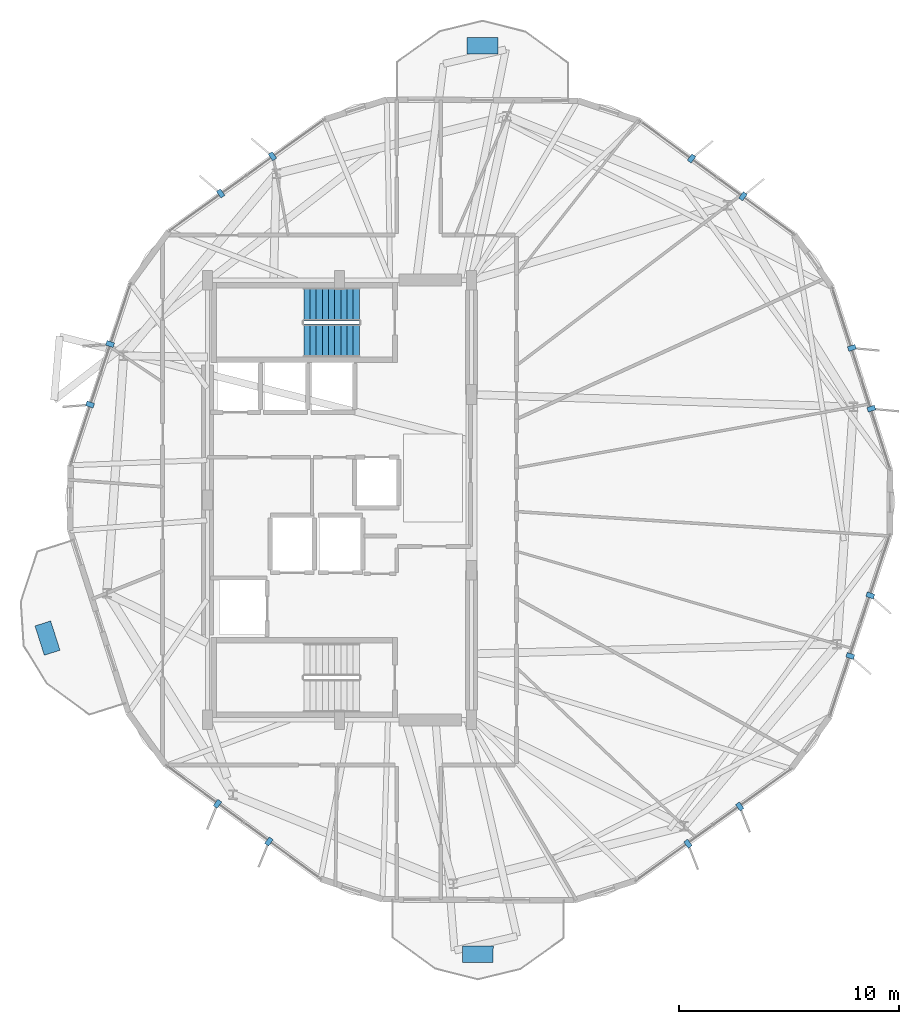
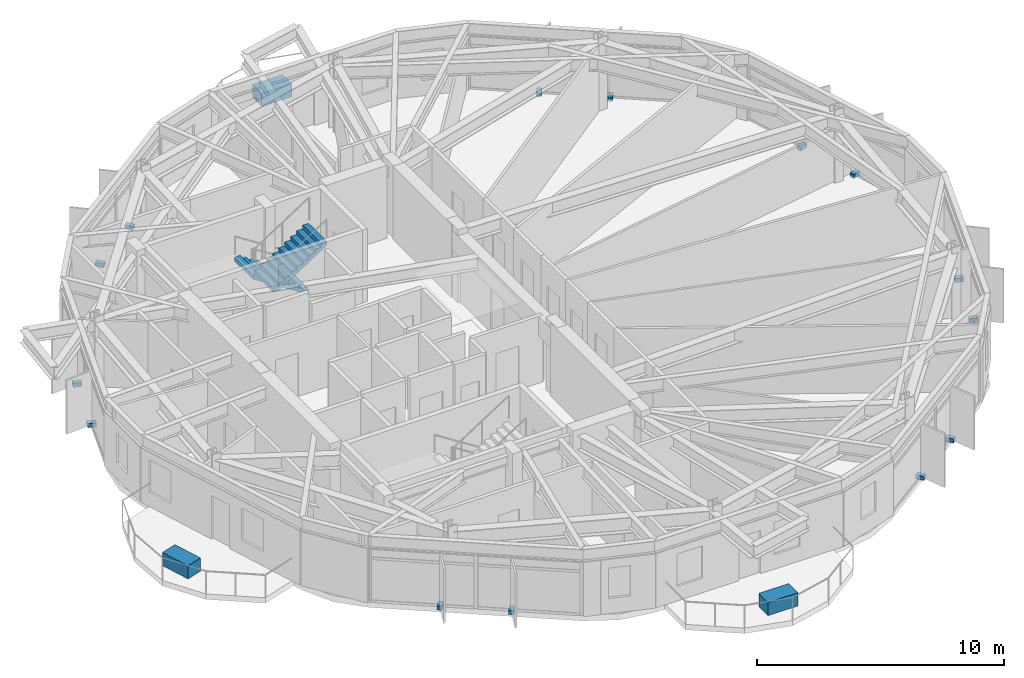
# One storey, part 20 of 24: 17 discrete accessories, 2 stair flights, 1 element without a shape of its own.
"""IFC4 building model written with IfcOpenShell, lengths in metres."""

from ifc_helpers import new_model, si_unit, direction, frame, origin, origin_2d, place, context, subcontext, project, spatial, polyline, rectangle, outline, extrude, material, layer, layer_set, type_object, element, aggregate, save


model = new_model("IFC4")

# Units and contexts
model_context = context("Model", 3, precision=1e-05, world=origin(), true_north=direction((0.0, 1.0)))
body_context = subcontext(model_context, "Body", "Model", "MODEL_VIEW")
ifc_project = project(units=[si_unit("LENGTHUNIT", "METRE"), si_unit("AREAUNIT", "SQUARE_METRE"), si_unit("VOLUMEUNIT", "CUBIC_METRE"), si_unit("PLANEANGLEUNIT", "RADIAN"), si_unit("MASSUNIT", "GRAM", prefix="KILO")], contexts=[model_context])

# Site, building, storey
site_placement = place(None, origin())
site = spatial("IfcSite", under=ifc_project, at=site_placement, CompositionType="ELEMENT")
building_placement = place(site_placement, origin())
building = spatial("IfcBuilding", under=site, at=building_placement, Name="Soratama Intermodal Tower", CompositionType="ELEMENT")
storey_placement = place(building_placement, frame((0.0, 0.0, 164.199951171875)))
storey = spatial("IfcBuildingStorey", under=building, at=storey_placement, Name="L40", CompositionType="ELEMENT", Elevation=164.199951171875)

# Stair, stair flights
ifc_material_1 = material(Name="Concrete f'c 42 MPa", Category="concrete")
stair_type = type_object("IfcStairType", Name="ST-CORE-DOGLEG", PredefinedType="HALF_TURN_STAIR", material=ifc_material_1)
stair_placement = place(storey_placement, origin())
stair = element("IfcStair", 1, at=stair_placement, inside=storey, type_object=stair_type, Name="L40 ST-2", PredefinedType="HALF_TURN_STAIR")
ifc_material_2 = material(Name="Precast concrete f'c 40 MPa", Category="concrete")
ifc_layer = layer(ifc_material_2, 0.199951171875)
ifc_layer_set = layer_set([ifc_layer], Name="Precast concrete f'c 40 MPa")
stair_flight_type = type_object("IfcStairFlightType", Name="SF-FLIGHT-RC", PredefinedType="STRAIGHT", material=ifc_layer_set)
stair_flight_1_placement = place(storey_placement, frame((39.5, 33.89990234375, 0.0), z_axis=(0.0, 0.0, 1.0), x_axis=(-1.0, 0.0, 0.0)))
stair_flight_1 = element("IfcStairFlight", 2, at=stair_flight_1_placement, type_object=stair_flight_type, Name="ST-2 flight 1", NumberOfRisers=10, NumberOfTreads=9, PredefinedType="STRAIGHT", RiserHeight=0.18, TreadLength=0.28, context=body_context, shape_type="SweptSolid", body=[
    extrude(outline(polyline([(0.0, 0.0), (0.0, 0.179931640625), (0.280029296875, 0.179931640625), (0.280029296875, 0.360107421875), (0.56005859375, 0.360107421875), (0.56005859375, 0.5400390625), (0.840087890625, 0.5400390625), (0.840087890625, 0.719970703125), (1.1201171875, 0.719970703125), (1.1201171875, 0.89990234375), (1.39990234375, 0.89990234375), (1.39990234375, 1.080078125), (1.679931640625, 1.080078125), (1.679931640625, 1.260009765625), (1.9599609375, 1.260009765625), (1.9599609375, 1.43994140625), (2.239990234375, 1.43994140625), (2.239990234375, 1.6201171875), (2.52001953125, 1.6201171875), (2.52001953125, 1.800048828125), (2.52001953125, 1.44189453125), (0.277099609375, 0.0), (0.0, 0.0)])), frame((0.0, 0.75, 0.0), z_axis=(0.0, -1.0, 0.0), x_axis=(1.0, 0.0, 0.0)), (0.0, 0.0, 1.0), 1.5),
])
stair_flight_2_placement = place(storey_placement, frame((36.97998046875, 32.25, 1.800048828125), z_axis=(0.0, 0.0, 1.0), x_axis=(1.0, 0.0, 0.0)))
stair_flight_2 = element("IfcStairFlight", 3, at=stair_flight_2_placement, type_object=stair_flight_type, Name="ST-2 flight 2", NumberOfRisers=10, NumberOfTreads=9, PredefinedType="STRAIGHT", RiserHeight=0.18, TreadLength=0.28, context=body_context, shape_type="SweptSolid", body=[
    extrude(outline(polyline([(0.0, 0.0), (0.0, 0.179931640625), (0.280029296875, 0.179931640625), (0.280029296875, 0.360107421875), (0.56005859375, 0.360107421875), (0.56005859375, 0.5400390625), (0.840087890625, 0.5400390625), (0.840087890625, 0.719970703125), (1.1201171875, 0.719970703125), (1.1201171875, 0.89990234375), (1.39990234375, 0.89990234375), (1.39990234375, 1.080078125), (1.679931640625, 1.080078125), (1.679931640625, 1.260009765625), (1.9599609375, 1.260009765625), (1.9599609375, 1.43994140625), (2.239990234375, 1.43994140625), (2.239990234375, 1.6201171875), (2.52001953125, 1.6201171875), (2.52001953125, 1.800048828125), (2.52001953125, 1.44189453125), (0.277099609375, 0.0), (0.0, 0.0)])), frame((0.0, 0.75, 0.0), z_axis=(0.0, -1.0, 0.0), x_axis=(1.0, 0.0, 0.0)), (0.0, 0.0, 1.0), 1.5),
])
aggregate(stair, [stair_flight_1, stair_flight_2])

# Discrete accessories
ifc_material_3 = material(Name="Structural steel ASTM A992 Grade 50", Category="steel")
discrete_accessory_type_1 = type_object("IfcDiscreteAccessoryType", Name="AC-FIN-BRACKET", PredefinedType="BRACKET", material=ifc_material_3)
for number, where, z_axis, x_axis, name in (
    (4, (56.95068359375, 38.819091796875, -0.080078125), (0.0, 0.0, 1.0), (0.592013178799, 0.805928282249, 0.0), "L40 Fin Bracket F01-1"),
    (5, (54.61279296875, 40.536376953125, -0.080078125), (0.0, 0.0, 1.0), (0.592013178799, 0.805928282249, 0.0), "L40 Fin Bracket F01-2"),
    (6, (35.55029296875, 40.635986328125, -0.080078125), (0.0, 0.0, 1.0), (-0.583541211356, 0.812083526892, 0.0), "L40 Fin Bracket F03-1"),
    (7, (33.194580078125, 38.943359375, -0.080078125), (0.0, 0.0, 1.0), (-0.583541211356, 0.812083526892, 0.0), "L40 Fin Bracket F03-2"),
    (8, (28.164306640625, 32.095703125, -0.080078125), (0.0, 0.0, 1.0), (-0.949425477642, 0.313992455967, 0.0), "L40 Fin Bracket F04-1"),
    (9, (27.253662109375, 29.34130859375, -0.080078125), (0.0, 0.0, 1.0), (-0.949425477642, 0.313992455967, 0.0), "L40 Fin Bracket F04-2"),
    (10, (33.04931640625, 11.180908203125, -0.080078125), (0.0, 0.0, 1.0), (-0.592013178799, -0.805928282249, 0.0), "L40 Fin Bracket F06-1"),
    (11, (35.38720703125, 9.463623046875, -0.080078125), (0.0, 0.0, 1.0), (-0.592013178799, -0.805928282249, 0.0), "L40 Fin Bracket F06-2"),
    (12, (54.44970703125, 9.364013671875, -0.080078125), (0.0, 0.0, 1.0), (0.583541211356, -0.812083526892, 0.0), "L40 Fin Bracket F08-1"),
    (13, (56.805419921875, 11.056640625, -0.080078125), (0.0, 0.0, 1.0), (0.583541211356, -0.812083526892, 0.0), "L40 Fin Bracket F08-2"),
    (14, (61.835693359375, 17.904296875, -0.080078125), (0.0, 0.0, 1.0), (0.949425477642, -0.313992455967, 0.0), "L40 Fin Bracket F09-1"),
    (15, (62.746337890625, 20.65869140625, -0.080078125), (0.0, 0.0, 1.0), (0.949425477642, -0.313992455967, 0.0), "L40 Fin Bracket F09-2"),
    (16, (62.791015625, 29.1552734375, -0.080078125), (0.0, 0.0, 1.0), (0.952661481254, 0.304033060925, 0.0), "L40 Fin Bracket F10-1"),
    (17, (61.908935546875, 31.9189453125, -0.080078125), (0.0, 0.0, 1.0), (0.952661481254, 0.304033060925, 0.0), "L40 Fin Bracket F10-2"),
):
    element("IfcDiscreteAccessory", number, at=place(storey_placement, frame(where, z_axis=z_axis, x_axis=x_axis)), inside=storey, type_object=discrete_accessory_type_1, Name=name, PredefinedType="BRACKET", context=body_context, shape_type="SweptSolid", body=[
        extrude(rectangle(XDim=0.360107421875, YDim=0.219970703125, at=origin_2d()), origin(), (0.0, 0.0, 1.0), 0.199951171875),
    ])
ifc_material_4 = material(Name="Precast concrete f'c 40 MPa", Category="concrete")
discrete_accessory_type_2 = type_object("IfcDiscreteAccessoryType", Name="AC-PLANTER-TREE", PredefinedType="USERDEFINED", material=ifc_material_4)
for number, where, z_axis, x_axis, name in (
    (18, (45.108154296875, 45.661865234375, 0.0), (0.0, 0.0, 1.0), (0.005235963831, 0.999986292247, 0.0), "L40 Tree Planter 1"),
    (19, (25.31591796875, 18.718017578125, 0.0), (0.0, 0.0, 1.0), (-0.952661481254, -0.304033060925, 0.0), "L40 Tree Planter 2"),
    (20, (44.891845703125, 4.338134765625, 0.0), (0.0, 0.0, 1.0), (-0.005235963831, -0.999986292247, 0.0), "L40 Tree Planter 3"),
):
    element("IfcDiscreteAccessory", number, at=place(storey_placement, frame(where, z_axis=z_axis, x_axis=x_axis)), inside=storey, type_object=discrete_accessory_type_2, Name=name, ObjectType="PLANTER", PredefinedType="USERDEFINED", context=body_context, shape_type="SweptSolid", body=[
        extrude(rectangle(XDim=0.75, YDim=1.39990234375, at=origin_2d()), origin(), (0.0, 0.0, 1.0), 0.64990234375),
    ])

save(model, "model.ifc")
